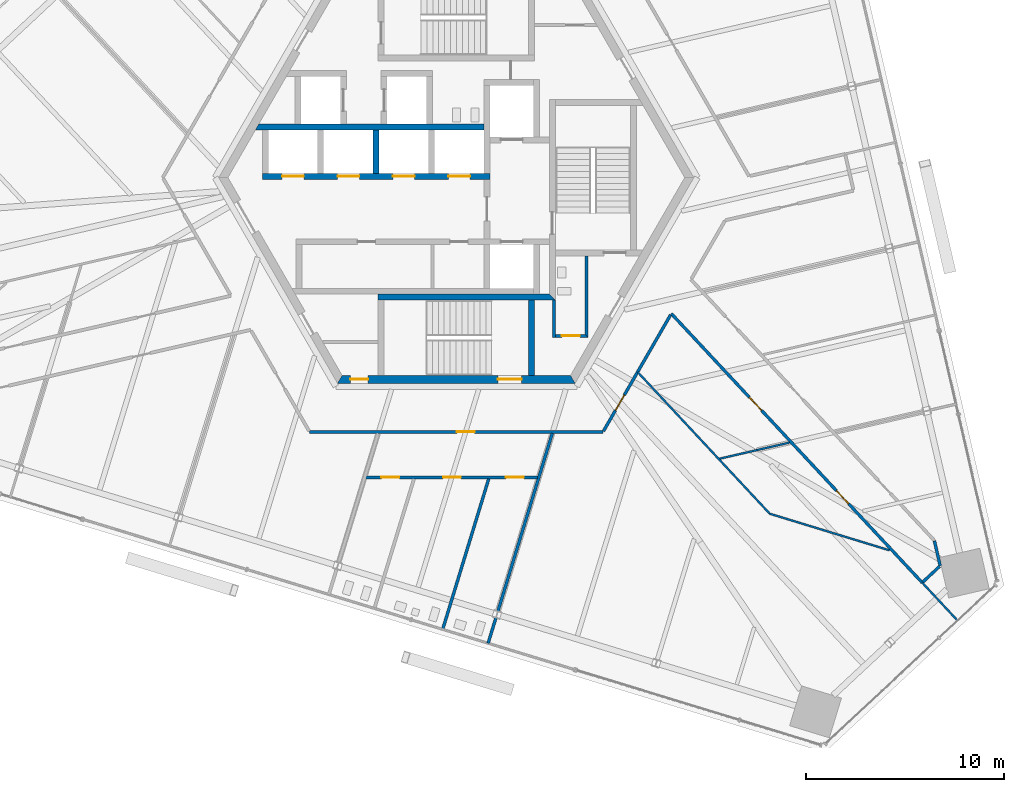
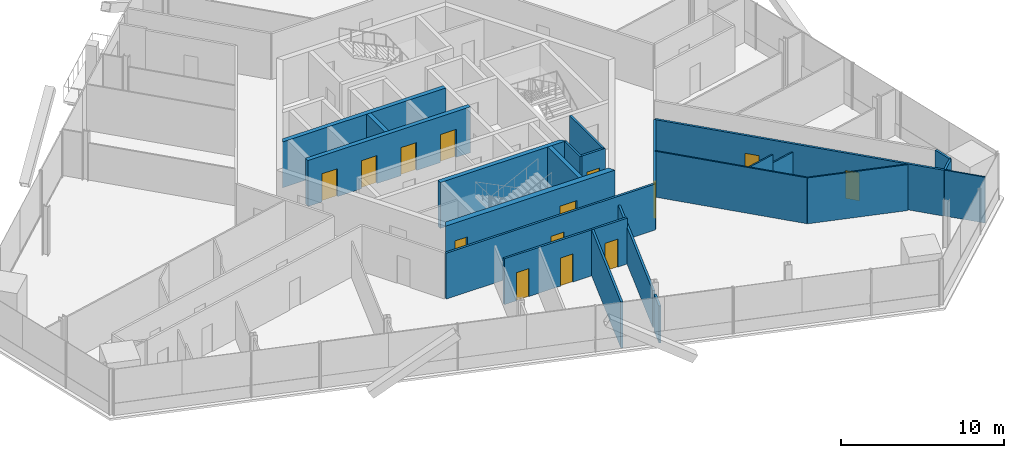
# One storey, part 12 of 19: 23 walls, 14 doors, 14 openings.
"""IFC4 building model written with IfcOpenShell, lengths in metres."""

from ifc_helpers import new_model, si_unit, direction, frame, frame_2d, origin, place, context, subcontext, project, spatial, polyline, rectangle, outline, extrude, source, transform, mapped, material, layer, layer_set, type_object, element, fill, save


model = new_model("IFC4")

# Units and contexts
model_context = context("Model", 3, precision=1e-05, world=origin(), true_north=direction((0.0, 1.0)))
body_context = subcontext(model_context, "Body", "Model", "MODEL_VIEW")
ifc_project = project(units=[si_unit("LENGTHUNIT", "METRE"), si_unit("AREAUNIT", "SQUARE_METRE"), si_unit("VOLUMEUNIT", "CUBIC_METRE"), si_unit("PLANEANGLEUNIT", "RADIAN"), si_unit("MASSUNIT", "GRAM", prefix="KILO")], contexts=[model_context])

# Site, building, storey
site_placement = place(None, origin())
site = spatial("IfcSite", under=ifc_project, at=site_placement, CompositionType="ELEMENT")
building_placement = place(site_placement, origin())
building = spatial("IfcBuilding", under=site, at=building_placement, Name="Triune Harvest Tower", CompositionType="ELEMENT")
storey_placement = place(building_placement, frame((0.0, 0.0, 109.10009765625)))
storey = spatial("IfcBuildingStorey", under=building, at=storey_placement, Name="L27", CompositionType="ELEMENT", Elevation=109.10009765625)

# Walls
ifc_material_1 = material(Name="Gypsum board on steel studs", Category="steel")
ifc_layer_1 = layer(ifc_material_1, 0.14990234375)
ifc_layer_set_1 = layer_set([ifc_layer_1], Name="Gypsum board on steel studs")
wall_type_1 = type_object("IfcWallType", Name="Fire Partition 150 mm", PredefinedType="PARTITIONING", material=ifc_layer_set_1)
wall_1_placement = place(storey_placement, frame((1.607421875, -23.522216796875, 0.0), z_axis=(0.0, 0.0, 1.0), x_axis=(0.292380718345, 0.956302000176, 0.0)))
element("IfcWall", 1, at=wall_1_placement, inside=storey, type_object=wall_type_1, Name="Partition L27 050", PredefinedType="PARTITIONING", context=body_context, shape_type="SweptSolid", body=[
    extrude(rectangle(XDim=1.338623046875, YDim=0.14990234375, at=frame_2d((0.66943359375, 0.0))), origin(), (0.0, 0.0, 1.0), 2.756591796875),
])
wall_2_placement = place(storey_placement, frame((2.104248046875, -21.897216796875, 0.0), z_axis=(0.0, 0.0, 1.0), x_axis=(0.292358588607, 0.956308765864, 0.0)))
element("IfcWall", 2, at=wall_2_placement, inside=storey, type_object=wall_type_1, Name="Partition L27 051", PredefinedType="PARTITIONING", context=body_context, shape_type="SweptSolid", body=[
    extrude(rectangle(XDim=9.388671875, YDim=0.14990234375, at=frame_2d((4.6943359375, 0.0))), origin(), (0.0, 0.0, 1.0), 2.756591796875),
])
ifc_material_2 = material(Name="Gypsum board on steel studs", Category="steel")
ifc_layer_2 = layer(ifc_material_2, 0.10009765625)
ifc_layer_set_2 = layer_set([ifc_layer_2], Name="Gypsum board on steel studs")
wall_type_2 = type_object("IfcWallType", Name="Partition 100 mm", PredefinedType="PARTITIONING", material=ifc_layer_set_2)
wall_3_placement = place(storey_placement, frame((9.15869140625, -9.821533203125, 0.0), z_axis=(0.0, 0.0, 1.0), x_axis=(0.682001570958, -0.731350707397, 0.0)))
element("IfcWall", 3, at=wall_3_placement, inside=storey, type_object=wall_type_2, Name="Partition L27 012", PredefinedType="PARTITIONING", context=body_context, shape_type="SweptSolid", body=[
    extrude(rectangle(XDim=9.780517578125, YDim=0.10009765625, at=frame_2d((4.89013671875, 0.0))), origin(), (0.0, 0.0, 1.0), 3.43994140625),
])
wall_4_placement = place(storey_placement, frame((15.833984375, -16.97998046875, 0.0), z_axis=(0.0, 0.0, 1.0), x_axis=(0.956303311522, -0.292376429236, 0.0)))
element("IfcWall", 4, at=wall_4_placement, inside=storey, type_object=wall_type_2, Name="Partition L27 024", PredefinedType="PARTITIONING", context=body_context, shape_type="SweptSolid", body=[
    extrude(rectangle(XDim=6.324462890625, YDim=0.10009765625, at=frame_2d((3.162109375, 0.0))), origin(), (0.0, 0.0, 1.0), 3.43994140625),
])

# Wall, openings, doors
ifc_material_3 = material(Name="Concrete 70 MPa", Category="concrete")
ifc_layer_3 = layer(ifc_material_3, 0.39990234375)
ifc_layer_set_3 = layer_set([ifc_layer_3], Name="Concrete 70 MPa")
wall_type_3 = type_object("IfcWallType", Name="Core wall 400", PredefinedType="SHEAR", material=ifc_layer_set_3)
shared_shape_1 = source(origin(), body_context, "Body", "SweptSolid", [
    extrude(outline(polyline([(-0.115478515625, -0.199951171875), (11.884521484375, -0.199951171875), (11.653564453125, 0.199951171875), (0.115478515625, 0.199951171875), (-0.115478515625, -0.199951171875)])), origin(), (0.0, 0.0, 1.0), 3.43994140625),
])
wall_5_placement = place(storey_placement, frame((-5.884521484375, -10.1923828125, 0.0), z_axis=(0.0, 0.0, 1.0), x_axis=(1.0, 0.0, 0.0)))
wall_5 = element("IfcWall", 5, at=wall_5_placement, inside=storey, type_object=wall_type_3, Name="Hexagon 4 wall", PredefinedType="SHEAR", context=body_context, shape_type="MappedRepresentation", body=[
    mapped(shared_shape_1, transform((0.0, 0.0, 0.0), scale=1.0)),
])
opening_1_placement = place(wall_5_placement, frame((7.984619140625, 0.0, 0.0)))
opening_1 = element("IfcOpeningElement", 6, at=opening_1_placement, cuts=wall_5, Name="Opening CD-S2P", PredefinedType="OPENING", context=body_context, shape_type="SweptSolid", body=[
    extrude(rectangle(XDim=1.199951171875, YDim=2.10009765625, at=frame_2d((0.60009765625, 1.050048828125))), frame((0.0, 0.2099609375, 0.0), z_axis=(0.0, -1.0, 0.0), x_axis=(1.0, 0.0, 0.0)), (0.0, 0.0, 1.0), 0.419921875),
])
opening_2_placement = place(wall_5_placement, frame((0.534423828125, 0.0, 0.0)))
opening_2 = element("IfcOpeningElement", 7, at=opening_2_placement, cuts=wall_5, Name="Opening CD-SWS", PredefinedType="OPENING", context=body_context, shape_type="SweptSolid", body=[
    extrude(rectangle(XDim=0.89990234375, YDim=2.10009765625, at=frame_2d((0.449951171875, 1.050048828125))), frame((0.0, 0.2099609375, 0.0), z_axis=(0.0, -1.0, 0.0), x_axis=(1.0, 0.0, 0.0)), (0.0, 0.0, 1.0), 0.419921875),
])
ifc_material_4 = material(Name="Steel S235", Category="steel")
door_type_1 = type_object("IfcDoorType", Name="Riser door 900 FD120", OperationType="SINGLE_SWING_LEFT", PredefinedType="DOOR", material=ifc_material_4)
door_1_placement = place(opening_2_placement, frame((0.89990234375, 0.0, 0.0), z_axis=(0.0, 0.0, 1.0), x_axis=(-1.0, 0.0, 0.0)))
door_1 = element("IfcDoor", 8, at=door_1_placement, inside=storey, type_object=door_type_1, Name="Door CD-SWS", OperationType="SINGLE_SWING_RIGHT", OverallHeight=2.10009765625, OverallWidth=0.89990234375, PredefinedType="DOOR", context=body_context, shape_type="SweptSolid", body=[
    extrude(rectangle(XDim=0.89990234375, YDim=2.10009765625, at=frame_2d((0.449951171875, 1.050048828125))), frame((0.0, 0.02490234375, 0.0), z_axis=(0.0, -1.0, 0.0), x_axis=(1.0, 0.0, 0.0)), (0.0, 0.0, 1.0), 0.050048828125),
])
fill(opening_2, door_1)
ifc_material_5 = material(Name="Steel S235", Category="steel")
door_type_2 = type_object("IfcDoorType", Name="Stair door 1200 FD120", OperationType="SINGLE_SWING_LEFT", PredefinedType="DOOR", material=ifc_material_5)
door_2_placement = place(opening_1_placement, frame((1.199951171875, 0.0, 0.0), z_axis=(0.0, 0.0, 1.0), x_axis=(-1.0, 0.0, 0.0)))
door_2 = element("IfcDoor", 9, at=door_2_placement, inside=storey, type_object=door_type_2, Name="Door CD-S2P", OperationType="SINGLE_SWING_RIGHT", OverallHeight=2.10009765625, OverallWidth=1.199951171875, PredefinedType="DOOR", context=body_context, shape_type="SweptSolid", body=[
    extrude(rectangle(XDim=1.199951171875, YDim=2.10009765625, at=frame_2d((0.60009765625, 1.050048828125))), frame((0.0, 0.02490234375, 0.0), z_axis=(0.0, -1.0, 0.0), x_axis=(1.0, 0.0, 0.0)), (0.0, 0.0, 1.0), 0.050048828125),
])
fill(opening_1, door_2)

ifc_material_6 = material(Name="Concrete 70 MPa", Category="concrete")
ifc_layer_4 = layer(ifc_material_6, 0.300048828125)
ifc_layer_set_4 = layer_set([ifc_layer_4], Name="Concrete 70 MPa")
wall_type_4 = type_object("IfcWallType", Name="Core wall 300", PredefinedType="SHEAR", material=ifc_layer_set_4)
shared_shape_2 = source(origin(), body_context, "Body", "SweptSolid", [
    extrude(rectangle(XDim=11.5, YDim=0.300048828125, at=frame_2d((5.75, 0.0))), origin(), (0.0, 0.0, 1.0), 3.43994140625),
])
wall_6_placement = place(storey_placement, frame((-9.800048828125, 0.06005859375, 0.0), z_axis=(0.0, 0.0, 1.0), x_axis=(1.0, 0.0, 0.0)))
wall_6 = element("IfcWall", 10, at=wall_6_placement, inside=storey, type_object=wall_type_4, Name="North front wall", PredefinedType="SHEAR", context=body_context, shape_type="MappedRepresentation", body=[
    mapped(shared_shape_2, transform((0.0, 0.0, 0.0), scale=1.0)),
])
opening_3_placement = place(wall_6_placement, frame((1.0, 0.0, 0.0)))
opening_3 = element("IfcOpeningElement", 11, at=opening_3_placement, cuts=wall_6, Name="Opening LD-LR1-27", PredefinedType="OPENING", context=body_context, shape_type="SweptSolid", body=[
    extrude(rectangle(XDim=1.10009765625, YDim=2.10009765625, at=frame_2d((0.550048828125, 1.050048828125))), frame((0.0, 0.16015625, 0.0), z_axis=(0.0, -1.0, 0.0), x_axis=(1.0, 0.0, 0.0)), (0.0, 0.0, 1.0), 0.320068359375),
])
opening_4_placement = place(wall_6_placement, frame((3.800048828125, 0.0, 0.0)))
opening_4 = element("IfcOpeningElement", 12, at=opening_4_placement, cuts=wall_6, Name="Opening LD-LR2-27", PredefinedType="OPENING", context=body_context, shape_type="SweptSolid", body=[
    extrude(rectangle(XDim=1.10009765625, YDim=2.10009765625, at=frame_2d((0.550048828125, 1.050048828125))), frame((0.0, 0.16015625, 0.0), z_axis=(0.0, -1.0, 0.0), x_axis=(1.0, 0.0, 0.0)), (0.0, 0.0, 1.0), 0.320068359375),
])
opening_5_placement = place(wall_6_placement, frame((6.60009765625, 0.0, 0.0)))
opening_5 = element("IfcOpeningElement", 13, at=opening_5_placement, cuts=wall_6, Name="Opening LD-LR3-27", PredefinedType="OPENING", context=body_context, shape_type="SweptSolid", body=[
    extrude(rectangle(XDim=1.10009765625, YDim=2.10009765625, at=frame_2d((0.550048828125, 1.050048828125))), frame((0.0, 0.16015625, 0.0), z_axis=(0.0, -1.0, 0.0), x_axis=(1.0, 0.0, 0.0)), (0.0, 0.0, 1.0), 0.320068359375),
])
opening_6_placement = place(wall_6_placement, frame((9.39990234375, 0.0, 0.0)))
opening_6 = element("IfcOpeningElement", 14, at=opening_6_placement, cuts=wall_6, Name="Opening LD-LR4-27", PredefinedType="OPENING", context=body_context, shape_type="SweptSolid", body=[
    extrude(rectangle(XDim=1.10009765625, YDim=2.10009765625, at=frame_2d((0.550048828125, 1.050048828125))), frame((0.0, 0.16015625, 0.0), z_axis=(0.0, -1.0, 0.0), x_axis=(1.0, 0.0, 0.0)), (0.0, 0.0, 1.0), 0.320068359375),
])
ifc_material_7 = material(Name="Stainless steel AISI 304", Category="steel")
door_type_3 = type_object("IfcDoorType", Name="Landing door 1100 x 2100", OperationType="DOUBLE_DOOR_SLIDING", PredefinedType="DOOR", material=ifc_material_7)
door_3_placement = place(opening_3_placement, origin())
door_3 = element("IfcDoor", 15, at=door_3_placement, inside=storey, type_object=door_type_3, Name="Door LD-LR1-27", OperationType="DOUBLE_DOOR_SLIDING", OverallHeight=2.10009765625, OverallWidth=1.10009765625, PredefinedType="DOOR", context=body_context, shape_type="SweptSolid", body=[
    extrude(rectangle(XDim=1.10009765625, YDim=2.10009765625, at=frame_2d((0.550048828125, 1.050048828125))), frame((0.0, 0.02490234375, 0.0), z_axis=(0.0, -1.0, 0.0), x_axis=(1.0, 0.0, 0.0)), (0.0, 0.0, 1.0), 0.050048828125),
])
fill(opening_3, door_3)
door_4_placement = place(opening_4_placement, origin())
door_4 = element("IfcDoor", 16, at=door_4_placement, inside=storey, type_object=door_type_3, Name="Door LD-LR2-27", OperationType="DOUBLE_DOOR_SLIDING", OverallHeight=2.10009765625, OverallWidth=1.10009765625, PredefinedType="DOOR", context=body_context, shape_type="SweptSolid", body=[
    extrude(rectangle(XDim=1.10009765625, YDim=2.10009765625, at=frame_2d((0.550048828125, 1.050048828125))), frame((0.0, 0.02490234375, 0.0), z_axis=(0.0, -1.0, 0.0), x_axis=(1.0, 0.0, 0.0)), (0.0, 0.0, 1.0), 0.050048828125),
])
fill(opening_4, door_4)
door_5_placement = place(opening_5_placement, origin())
door_5 = element("IfcDoor", 17, at=door_5_placement, inside=storey, type_object=door_type_3, Name="Door LD-LR3-27", OperationType="DOUBLE_DOOR_SLIDING", OverallHeight=2.10009765625, OverallWidth=1.10009765625, PredefinedType="DOOR", context=body_context, shape_type="SweptSolid", body=[
    extrude(rectangle(XDim=1.10009765625, YDim=2.10009765625, at=frame_2d((0.550048828125, 1.050048828125))), frame((0.0, 0.02490234375, 0.0), z_axis=(0.0, -1.0, 0.0), x_axis=(1.0, 0.0, 0.0)), (0.0, 0.0, 1.0), 0.050048828125),
])
fill(opening_5, door_5)
door_6_placement = place(opening_6_placement, origin())
door_6 = element("IfcDoor", 18, at=door_6_placement, inside=storey, type_object=door_type_3, Name="Door LD-LR4-27", OperationType="DOUBLE_DOOR_SLIDING", OverallHeight=2.10009765625, OverallWidth=1.10009765625, PredefinedType="DOOR", context=body_context, shape_type="SweptSolid", body=[
    extrude(rectangle(XDim=1.10009765625, YDim=2.10009765625, at=frame_2d((0.550048828125, 1.050048828125))), frame((0.0, 0.02490234375, 0.0), z_axis=(0.0, -1.0, 0.0), x_axis=(1.0, 0.0, 0.0)), (0.0, 0.0, 1.0), 0.050048828125),
])
fill(opening_6, door_6)

# Walls
shared_shape_3 = source(origin(), body_context, "Body", "SweptSolid", [
    extrude(outline(polyline([(11.199951171875, -0.14990234375), (-0.34912109375, -0.14990234375), (-0.17578125, 0.14990234375), (11.199951171875, 0.14990234375), (11.199951171875, -0.14990234375)])), origin(), (0.0, 0.0, 1.0), 3.43994140625),
])
wall_7_placement = place(storey_placement, frame((-9.800048828125, 2.56005859375, 0.0), z_axis=(0.0, 0.0, 1.0), x_axis=(1.0, 0.0, 0.0)))
element("IfcWall", 19, at=wall_7_placement, inside=storey, type_object=wall_type_4, Name="North back wall", PredefinedType="SHEAR", context=body_context, shape_type="MappedRepresentation", body=[
    mapped(shared_shape_3, transform((0.0, 0.0, 0.0), scale=1.0)),
])
shared_shape_4 = source(origin(), body_context, "Body", "SweptSolid", [
    extrude(rectangle(XDim=2.199951171875, YDim=0.300048828125, at=frame_2d((1.10009765625, 0.0))), origin(), (0.0, 0.0, 1.0), 3.43994140625),
])
wall_8_placement = place(storey_placement, frame((-4.050048828125, 0.2099609375, 0.0), z_axis=(0.0, 0.0, 1.0), x_axis=(0.0, 1.0, 0.0)))
element("IfcWall", 20, at=wall_8_placement, inside=storey, type_object=wall_type_4, Name="North cross 2 wall", PredefinedType="SHEAR", context=body_context, shape_type="MappedRepresentation", body=[
    mapped(shared_shape_4, transform((0.0, 0.0, 0.0), scale=1.0)),
])
shared_shape_5 = source(origin(), body_context, "Body", "SweptSolid", [
    extrude(outline(polyline([(0.0, -0.14990234375), (8.949951171875, -0.14990234375), (8.64990234375, 0.14990234375), (0.0, 0.14990234375), (0.0, -0.14990234375)])), origin(), (0.0, 0.0, 1.0), 3.43994140625),
])
wall_9_placement = place(storey_placement, frame((-3.949951171875, -6.0400390625, 0.0), z_axis=(0.0, 0.0, 1.0), x_axis=(1.0, 0.0, 0.0)))
element("IfcWall", 21, at=wall_9_placement, inside=storey, type_object=wall_type_4, Name="Stair s north wall", PredefinedType="SHEAR", context=body_context, shape_type="MappedRepresentation", body=[
    mapped(shared_shape_5, transform((0.0, 0.0, 0.0), scale=1.0)),
])
shared_shape_6 = source(origin(), body_context, "Body", "SweptSolid", [
    extrude(outline(polyline([(3.800048828125, -0.14990234375), (-0.00439453125, -0.14990234375), (-0.00439453125, 0.14990234375), (3.800048828125, 0.14990234375), (3.800048828125, -0.14990234375)])), origin(), (0.0, 0.0, 1.0), 3.43994140625),
])
wall_10_placement = place(storey_placement, frame((3.800048828125, -9.989990234375, 0.0), z_axis=(0.0, 0.0, 1.0), x_axis=(0.0, 1.0, 0.0)))
element("IfcWall", 22, at=wall_10_placement, inside=storey, type_object=wall_type_4, Name="Stair s east wall", PredefinedType="SHEAR", context=body_context, shape_type="MappedRepresentation", body=[
    mapped(shared_shape_6, transform((0.0, 0.0, 0.0), scale=1.0)),
])

# Wall, opening, door
ifc_material_8 = material(Name="Concrete masonry unit", Category="masonry")
ifc_layer_5 = layer(ifc_material_8, 0.14990234375)
ifc_layer_set_5 = layer_set([ifc_layer_5], Name="Concrete masonry unit")
wall_type_5 = type_object("IfcWallType", Name="Block partition 150 unrated", PredefinedType="PARTITIONING", material=ifc_layer_set_5)
shared_shape_7 = source(origin(), body_context, "Body", "SweptSolid", [
    extrude(outline(polyline([(0.0, -0.074951171875), (1.64990234375, -0.074951171875), (1.5, 0.074951171875), (0.0, 0.074951171875), (0.0, -0.074951171875)])), origin(), (0.0, 0.0, 1.0), 3.43994140625),
])
wall_11_placement = place(storey_placement, frame((5.0, -8.0, 0.0), z_axis=(0.0, 0.0, 1.0), x_axis=(1.0, 0.0, 0.0)))
wall_11 = element("IfcWall", 23, at=wall_11_placement, inside=storey, type_object=wall_type_5, Name="Wc acc south wall", PredefinedType="PARTITIONING", context=body_context, shape_type="MappedRepresentation", body=[
    mapped(shared_shape_7, transform((0.0, 0.0, 0.0), scale=1.0)),
])
opening_7_placement = place(wall_11_placement, frame((0.33740234375, 0.0, 0.0)))
opening_7 = element("IfcOpeningElement", 24, at=opening_7_placement, cuts=wall_11, Name="Opening CD-WA", PredefinedType="OPENING", context=body_context, shape_type="SweptSolid", body=[
    extrude(rectangle(XDim=0.89990234375, YDim=2.10009765625, at=frame_2d((0.449951171875, 1.050048828125))), frame((0.0, 0.0849609375, 0.0), z_axis=(0.0, -1.0, 0.0), x_axis=(1.0, 0.0, 0.0)), (0.0, 0.0, 1.0), 0.169921875),
])
ifc_material_9 = material(Name="Timber C24", Category="wood")
door_type_4 = type_object("IfcDoorType", Name="WC door 900", OperationType="SINGLE_SWING_LEFT", PredefinedType="DOOR", material=ifc_material_9)
door_7_placement = place(opening_7_placement, origin())
door_7 = element("IfcDoor", 25, at=door_7_placement, inside=storey, type_object=door_type_4, Name="Door CD-WA", OperationType="SINGLE_SWING_LEFT", OverallHeight=2.10009765625, OverallWidth=0.89990234375, PredefinedType="DOOR", context=body_context, shape_type="SweptSolid", body=[
    extrude(rectangle(XDim=0.89990234375, YDim=2.10009765625, at=frame_2d((0.449951171875, 1.050048828125))), frame((0.0, 0.02490234375, 0.0), z_axis=(0.0, -1.0, 0.0), x_axis=(1.0, 0.0, 0.0)), (0.0, 0.0, 1.0), 0.050048828125),
])
fill(opening_7, door_7)

# Walls
shared_shape_8 = source(origin(), body_context, "Body", "SweptSolid", [
    extrude(outline(polyline([(-0.074951171875, -0.074951171875), (4.050048828125, -0.074951171875), (4.050048828125, 0.074951171875), (0.074951171875, 0.074951171875), (-0.074951171875, -0.074951171875)])), origin(), (0.0, 0.0, 1.0), 3.43994140625),
])
wall_12_placement = place(storey_placement, frame((6.574951171875, -8.0, 0.0), z_axis=(0.0, 0.0, 1.0), x_axis=(0.0, 1.0, 0.0)))
element("IfcWall", 26, at=wall_12_placement, inside=storey, type_object=wall_type_5, Name="Wc acc east wall", PredefinedType="PARTITIONING", context=body_context, shape_type="MappedRepresentation", body=[
    mapped(shared_shape_8, transform((0.0, 0.0, 0.0), scale=1.0)),
])
shared_shape_9 = source(origin(), body_context, "Body", "SweptSolid", [
    extrude(rectangle(XDim=1.885009765625, YDim=0.14990234375, at=frame_2d((0.9423828125, 0.0))), origin(), (0.0, 0.0, 1.0), 3.43994140625),
])
wall_13_placement = place(storey_placement, frame((4.925048828125, -8.074951171875, 0.0), z_axis=(0.0, 0.0, 1.0), x_axis=(0.0, 1.0, 0.0)))
element("IfcWall", 27, at=wall_13_placement, inside=storey, type_object=wall_type_5, Name="Wc acc west wall", PredefinedType="PARTITIONING", context=body_context, shape_type="MappedRepresentation", body=[
    mapped(shared_shape_9, transform((0.0, 0.0, 0.0), scale=1.0)),
])
shared_shape_10 = source(origin(), body_context, "Body", "SweptSolid", [
    extrude(rectangle(XDim=1.291259765625, YDim=0.14990234375, at=frame_2d((0.6455078125, 0.0))), origin(), (0.0, 0.0, 1.0), 3.43994140625),
])
wall_14_placement = place(storey_placement, frame((24.1533203125, -18.353759765625, 0.0), z_axis=(0.0, 0.0, 1.0), x_axis=(0.225011409507, -0.974356128729, 0.0)))
element("IfcWall", 28, at=wall_14_placement, inside=storey, type_object=wall_type_1, Name="Partition L27 003", PredefinedType="PARTITIONING", context=body_context, shape_type="MappedRepresentation", body=[
    mapped(shared_shape_10, transform((0.0, 0.0, 0.0), scale=1.0)),
])

# Wall, openings, doors
shared_shape_11 = source(origin(), body_context, "Body", "SweptSolid", [
    extrude(rectangle(XDim=18.5810546875, YDim=0.14990234375, at=frame_2d((9.29052734375, 0.0))), origin(), (0.0, 0.0, 1.0), 3.43994140625),
])
wall_15_placement = place(storey_placement, frame((10.861572265625, -6.87158203125, 0.0), z_axis=(0.0, 0.0, 1.0), x_axis=(0.681993758704, -0.731357992428, 0.0)))
wall_15 = element("IfcWall", 29, at=wall_15_placement, inside=storey, type_object=wall_type_1, Name="Partition L27 014", PredefinedType="PARTITIONING", context=body_context, shape_type="MappedRepresentation", body=[
    mapped(shared_shape_11, transform((0.0, 0.0, 0.0), scale=1.0)),
])
opening_8_placement = place(wall_15_placement, frame((12.229736328125, 0.0, 0.0)))
opening_8 = element("IfcOpeningElement", 30, at=opening_8_placement, cuts=wall_15, Name="Opening L27-001", PredefinedType="OPENING", context=body_context, shape_type="SweptSolid", body=[
    extrude(rectangle(XDim=0.89990234375, YDim=2.10009765625, at=frame_2d((0.449951171875, 1.050048828125))), frame((0.0, 0.0849609375, 0.0), z_axis=(0.0, -1.0, 0.0), x_axis=(1.0, 0.0, 0.0)), (0.0, 0.0, 1.0), 0.169921875),
])
opening_9_placement = place(wall_15_placement, frame((5.785888671875, 0.0, 0.0)))
opening_9 = element("IfcOpeningElement", 31, at=opening_9_placement, cuts=wall_15, Name="Opening L27-003", PredefinedType="OPENING", context=body_context, shape_type="SweptSolid", body=[
    extrude(rectangle(XDim=0.89990234375, YDim=2.10009765625, at=frame_2d((0.449951171875, 1.050048828125))), frame((0.0, 0.0849609375, 0.0), z_axis=(0.0, -1.0, 0.0), x_axis=(1.0, 0.0, 0.0)), (0.0, 0.0, 1.0), 0.169921875),
])
ifc_material_10 = material(Name="Timber and steel door set", Category="steel")
door_type_5 = type_object("IfcDoorType", Name="Single leaf door FD30 left hand 900 x 2100", OperationType="SINGLE_SWING_LEFT", PredefinedType="DOOR", material=ifc_material_10)
door_8_placement = place(opening_8_placement, origin())
door_8 = element("IfcDoor", 32, at=door_8_placement, inside=storey, type_object=door_type_5, Name="Door L27-001 Open Office 27.01", OperationType="SINGLE_SWING_LEFT", OverallHeight=2.10009765625, OverallWidth=0.89990234375, PredefinedType="DOOR", context=body_context, shape_type="SweptSolid", body=[
    extrude(rectangle(XDim=0.89990234375, YDim=2.10009765625, at=frame_2d((0.449951171875, 1.050048828125))), frame((0.0, 0.02490234375, 0.0), z_axis=(0.0, -1.0, 0.0), x_axis=(1.0, 0.0, 0.0)), (0.0, 0.0, 1.0), 0.050048828125),
])
fill(opening_8, door_8)
ifc_material_11 = material(Name="Timber and steel door set", Category="steel")
door_type_6 = type_object("IfcDoorType", Name="Single leaf door FD30 right hand 900 x 2100", OperationType="SINGLE_SWING_RIGHT", PredefinedType="DOOR", material=ifc_material_11)
door_9_placement = place(opening_9_placement, origin())
door_9 = element("IfcDoor", 33, at=door_9_placement, inside=storey, type_object=door_type_6, Name="Door L27-003 Pantry 27.03", OperationType="SINGLE_SWING_RIGHT", OverallHeight=2.10009765625, OverallWidth=0.89990234375, PredefinedType="DOOR", context=body_context, shape_type="SweptSolid", body=[
    extrude(rectangle(XDim=0.89990234375, YDim=2.10009765625, at=frame_2d((0.449951171875, 1.050048828125))), frame((0.0, 0.02490234375, 0.0), z_axis=(0.0, -1.0, 0.0), x_axis=(1.0, 0.0, 0.0)), (0.0, 0.0, 1.0), 0.050048828125),
])
fill(opening_9, door_9)

# Wall
shared_shape_12 = source(origin(), body_context, "Body", "SweptSolid", [
    extrude(rectangle(XDim=2.61865234375, YDim=0.10009765625, at=frame_2d((1.309326171875, 0.0))), origin(), (0.0, 0.0, 1.0), 3.43994140625),
])
wall_16_placement = place(storey_placement, frame((23.53369140625, -20.4609375, 0.0), z_axis=(0.0, 0.0, 1.0), x_axis=(0.681969394761, -0.731380711128, 0.0)))
element("IfcWall", 34, at=wall_16_placement, inside=storey, type_object=wall_type_2, Name="Partition L27 015", PredefinedType="PARTITIONING", context=body_context, shape_type="MappedRepresentation", body=[
    mapped(shared_shape_12, transform((0.0, 0.0, 0.0), scale=1.0)),
])

# Wall, openings, doors
shared_shape_13 = source(origin(), body_context, "Body", "SweptSolid", [
    extrude(rectangle(XDim=8.718994140625, YDim=0.14990234375, at=frame_2d((4.359375, 0.0))), origin(), (0.0, 0.0, 1.0), 3.43994140625),
])
wall_17_placement = place(storey_placement, frame((-4.629638671875, -15.142333984375, 0.0), z_axis=(0.0, 0.0, 1.0), x_axis=(1.0, 0.0, 0.0)))
wall_17 = element("IfcWall", 35, at=wall_17_placement, inside=storey, type_object=wall_type_1, Name="Partition L27 025", PredefinedType="PARTITIONING", context=body_context, shape_type="MappedRepresentation", body=[
    mapped(shared_shape_13, transform((0.0, 0.0, 0.0), scale=1.0)),
])
opening_10_placement = place(wall_17_placement, frame((0.85009765625, 0.0, 0.0)))
opening_10 = element("IfcOpeningElement", 36, at=opening_10_placement, cuts=wall_17, Name="Opening L27-023", PredefinedType="OPENING", context=body_context, shape_type="SweptSolid", body=[
    extrude(rectangle(XDim=0.89990234375, YDim=2.10009765625, at=frame_2d((0.449951171875, 1.050048828125))), frame((0.0, 0.0849609375, 0.0), z_axis=(0.0, -1.0, 0.0), x_axis=(1.0, 0.0, 0.0)), (0.0, 0.0, 1.0), 0.169921875),
])
opening_11_placement = place(wall_17_placement, frame((3.9658203125, 0.0, 0.0)))
opening_11 = element("IfcOpeningElement", 37, at=opening_11_placement, cuts=wall_17, Name="Opening L27-024", PredefinedType="OPENING", context=body_context, shape_type="SweptSolid", body=[
    extrude(rectangle(XDim=0.89990234375, YDim=2.10009765625, at=frame_2d((0.449951171875, 1.050048828125))), frame((0.0, 0.0849609375, 0.0), z_axis=(0.0, -1.0, 0.0), x_axis=(1.0, 0.0, 0.0)), (0.0, 0.0, 1.0), 0.169921875),
])
opening_12_placement = place(wall_17_placement, frame((7.139404296875, 0.0, 0.0)))
opening_12 = element("IfcOpeningElement", 38, at=opening_12_placement, cuts=wall_17, Name="Opening L27-025", PredefinedType="OPENING", context=body_context, shape_type="SweptSolid", body=[
    extrude(rectangle(XDim=0.89990234375, YDim=2.10009765625, at=frame_2d((0.449951171875, 1.050048828125))), frame((0.0, 0.0849609375, 0.0), z_axis=(0.0, -1.0, 0.0), x_axis=(1.0, 0.0, 0.0)), (0.0, 0.0, 1.0), 0.169921875),
])
door_10_placement = place(opening_11_placement, origin())
door_10 = element("IfcDoor", 39, at=door_10_placement, inside=storey, type_object=door_type_5, Name="Door L27-024 Men's WC 27.24", OperationType="SINGLE_SWING_LEFT", OverallHeight=2.10009765625, OverallWidth=0.89990234375, PredefinedType="DOOR", context=body_context, shape_type="SweptSolid", body=[
    extrude(rectangle(XDim=0.89990234375, YDim=2.10009765625, at=frame_2d((0.449951171875, 1.050048828125))), frame((0.0, 0.02490234375, 0.0), z_axis=(0.0, -1.0, 0.0), x_axis=(1.0, 0.0, 0.0)), (0.0, 0.0, 1.0), 0.050048828125),
])
fill(opening_11, door_10)
door_11_placement = place(opening_12_placement, origin())
door_11 = element("IfcDoor", 40, at=door_11_placement, inside=storey, type_object=door_type_5, Name="Door L27-025 Accessible WC 27.25", OperationType="SINGLE_SWING_LEFT", OverallHeight=2.10009765625, OverallWidth=0.89990234375, PredefinedType="DOOR", context=body_context, shape_type="SweptSolid", body=[
    extrude(rectangle(XDim=0.89990234375, YDim=2.10009765625, at=frame_2d((0.449951171875, 1.050048828125))), frame((0.0, 0.02490234375, 0.0), z_axis=(0.0, -1.0, 0.0), x_axis=(1.0, 0.0, 0.0)), (0.0, 0.0, 1.0), 0.050048828125),
])
fill(opening_12, door_11)
door_12_placement = place(opening_10_placement, origin())
door_12 = element("IfcDoor", 41, at=door_12_placement, inside=storey, type_object=door_type_6, Name="Door L27-023 Women's WC 27.23", OperationType="SINGLE_SWING_RIGHT", OverallHeight=2.10009765625, OverallWidth=0.89990234375, PredefinedType="DOOR", context=body_context, shape_type="SweptSolid", body=[
    extrude(rectangle(XDim=0.89990234375, YDim=2.10009765625, at=frame_2d((0.449951171875, 1.050048828125))), frame((0.0, 0.02490234375, 0.0), z_axis=(0.0, -1.0, 0.0), x_axis=(1.0, 0.0, 0.0)), (0.0, 0.0, 1.0), 0.050048828125),
])
fill(opening_10, door_12)

# Wall, opening, door
shared_shape_14 = source(origin(), body_context, "Body", "SweptSolid", [
    extrude(rectangle(XDim=14.8291015625, YDim=0.14990234375, at=frame_2d((7.41455078125, 0.0))), origin(), (0.0, 0.0, 1.0), 3.43994140625),
])
wall_18_placement = place(storey_placement, frame((-7.41455078125, -12.84228515625, 0.0), z_axis=(0.0, 0.0, 1.0), x_axis=(1.0, 0.0, 0.0)))
wall_18 = element("IfcWall", 42, at=wall_18_placement, inside=storey, type_object=wall_type_1, Name="Partition L27 026", PredefinedType="PARTITIONING", context=body_context, shape_type="MappedRepresentation", body=[
    mapped(shared_shape_14, transform((0.0, 0.0, 0.0), scale=1.0)),
])
opening_13_placement = place(wall_18_placement, frame((7.43798828125, 0.0, 0.0)))
opening_13 = element("IfcOpeningElement", 43, at=opening_13_placement, cuts=wall_18, Name="Opening L27-022", PredefinedType="OPENING", context=body_context, shape_type="SweptSolid", body=[
    extrude(rectangle(XDim=0.89990234375, YDim=2.10009765625, at=frame_2d((0.449951171875, 1.050048828125))), frame((0.0, 0.0849609375, 0.0), z_axis=(0.0, -1.0, 0.0), x_axis=(1.0, 0.0, 0.0)), (0.0, 0.0, 1.0), 0.169921875),
])
door_13_placement = place(opening_13_placement, origin())
door_13 = element("IfcDoor", 44, at=door_13_placement, inside=storey, type_object=door_type_5, Name="Door L27-022 WC lobby 27.22", OperationType="SINGLE_SWING_LEFT", OverallHeight=2.10009765625, OverallWidth=0.89990234375, PredefinedType="DOOR", context=body_context, shape_type="SweptSolid", body=[
    extrude(rectangle(XDim=0.89990234375, YDim=2.10009765625, at=frame_2d((0.449951171875, 1.050048828125))), frame((0.0, 0.02490234375, 0.0), z_axis=(0.0, -1.0, 0.0), x_axis=(1.0, 0.0, 0.0)), (0.0, 0.0, 1.0), 0.050048828125),
])
fill(opening_13, door_13)

# Walls
shared_shape_15 = source(origin(), body_context, "Body", "SweptSolid", [
    extrude(rectangle(XDim=1.931640625, YDim=0.10009765625, at=frame_2d((0.9658203125, 0.0))), origin(), (0.0, 0.0, 1.0), 3.43994140625),
])
wall_19_placement = place(storey_placement, frame((13.311279296875, -14.198486328125, 0.0), z_axis=(0.0, 0.0, 1.0), x_axis=(0.974363495461, 0.224979507319, 0.0)))
element("IfcWall", 45, at=wall_19_placement, inside=storey, type_object=wall_type_2, Name="Partition L27 028", PredefinedType="PARTITIONING", context=body_context, shape_type="MappedRepresentation", body=[
    mapped(shared_shape_15, transform((0.0, 0.0, 0.0), scale=1.0)),
])
shared_shape_16 = source(origin(), body_context, "Body", "SweptSolid", [
    extrude(rectangle(XDim=1.679443359375, YDim=0.10009765625, at=frame_2d((0.83984375, 0.0))), origin(), (0.0, 0.0, 1.0), 2.82763671875),
])
wall_20_placement = place(storey_placement, frame((15.193359375, -13.763916015625, 0.0), z_axis=(0.0, 0.0, 1.0), x_axis=(0.974354434128, 0.225018747431, 0.0)))
element("IfcWall", 46, at=wall_20_placement, inside=storey, type_object=wall_type_2, Name="Partition L27 028a", PredefinedType="PARTITIONING", context=body_context, shape_type="MappedRepresentation", body=[
    mapped(shared_shape_16, transform((0.0, 0.0, 0.0), scale=1.0)),
])
shared_shape_17 = source(origin(), body_context, "Body", "SweptSolid", [
    extrude(rectangle(XDim=1.154296875, YDim=0.14990234375, at=frame_2d((0.5771484375, 0.0))), origin(), (0.0, 0.0, 1.0), 3.43994140625),
])
wall_21_placement = place(storey_placement, frame((23.5703125, -20.427001953125, 0.0), z_axis=(0.0, 0.0, 1.0), x_axis=(0.731315427134, 0.682039402113, 0.0)))
element("IfcWall", 47, at=wall_21_placement, inside=storey, type_object=wall_type_1, Name="Partition L27 045", PredefinedType="PARTITIONING", context=body_context, shape_type="MappedRepresentation", body=[
    mapped(shared_shape_17, transform((0.0, 0.0, 0.0), scale=1.0)),
])

# Wall, opening, door
shared_shape_18 = source(origin(), body_context, "Body", "SweptSolid", [
    extrude(rectangle(XDim=6.774169921875, YDim=0.14990234375, at=frame_2d((3.38720703125, 0.0))), origin(), (0.0, 0.0, 1.0), 3.43994140625),
])
wall_22_placement = place(storey_placement, frame((7.4345703125, -12.8076171875, 0.0), z_axis=(0.0, 0.0, 1.0), x_axis=(0.49998035001, 0.866036748414, 0.0)))
wall_22 = element("IfcWall", 48, at=wall_22_placement, inside=storey, type_object=wall_type_1, Name="Partition L27 047", PredefinedType="PARTITIONING", context=body_context, shape_type="MappedRepresentation", body=[
    mapped(shared_shape_18, transform((0.0, 0.0, 0.0), scale=1.0)),
])
opening_14_placement = place(wall_22_placement, frame((1.2099609375, 0.0, 0.0)))
opening_14 = element("IfcOpeningElement", 49, at=opening_14_placement, cuts=wall_22, Name="Opening L27-026", PredefinedType="OPENING", context=body_context, shape_type="SweptSolid", body=[
    extrude(rectangle(XDim=0.89990234375, YDim=2.10009765625, at=frame_2d((0.449951171875, 1.050048828125))), frame((0.0, 0.0849609375, 0.0), z_axis=(0.0, -1.0, 0.0), x_axis=(1.0, 0.0, 0.0)), (0.0, 0.0, 1.0), 0.169921875),
])
door_14_placement = place(opening_14_placement, origin())
door_14 = element("IfcDoor", 50, at=door_14_placement, inside=storey, type_object=door_type_6, Name="Door L27-026 Open Office 27.26", OperationType="SINGLE_SWING_RIGHT", OverallHeight=2.10009765625, OverallWidth=0.89990234375, PredefinedType="DOOR", context=body_context, shape_type="SweptSolid", body=[
    extrude(rectangle(XDim=0.89990234375, YDim=2.10009765625, at=frame_2d((0.449951171875, 1.050048828125))), frame((0.0, 0.02490234375, 0.0), z_axis=(0.0, -1.0, 0.0), x_axis=(1.0, 0.0, 0.0)), (0.0, 0.0, 1.0), 0.050048828125),
])
fill(opening_14, door_14)

# Wall
shared_shape_19 = source(origin(), body_context, "Body", "SweptSolid", [
    extrude(rectangle(XDim=7.948974609375, YDim=0.14990234375, at=frame_2d((3.974609375, 0.0))), origin(), (0.0, 0.0, 1.0), 3.43994140625),
])
wall_23_placement = place(storey_placement, frame((-0.6875, -22.8203125, 0.0), z_axis=(0.0, 0.0, 1.0), x_axis=(0.292365230399, 0.956306735339, 0.0)))
element("IfcWall", 51, at=wall_23_placement, inside=storey, type_object=wall_type_1, Name="Partition L27 052", PredefinedType="PARTITIONING", context=body_context, shape_type="MappedRepresentation", body=[
    mapped(shared_shape_19, transform((0.0, 0.0, 0.0), scale=1.0)),
])

save(model, "model.ifc")
